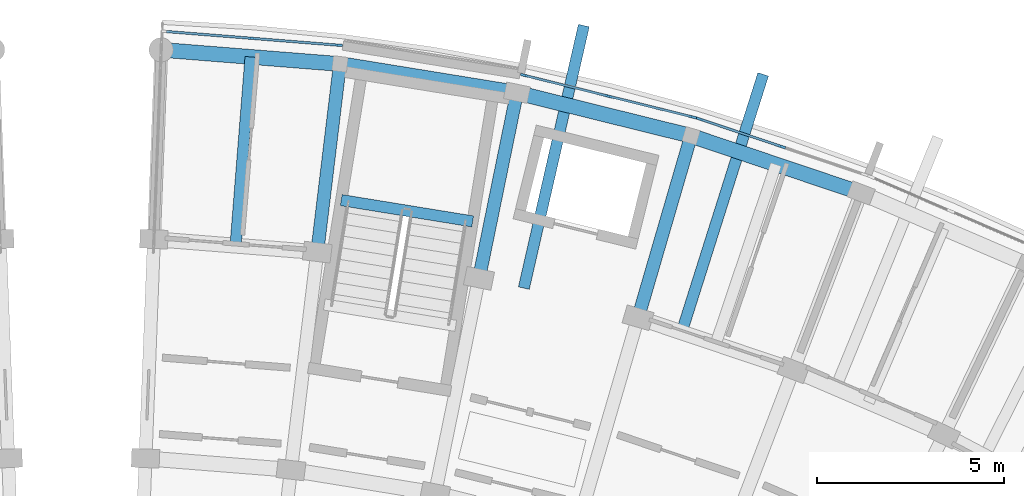
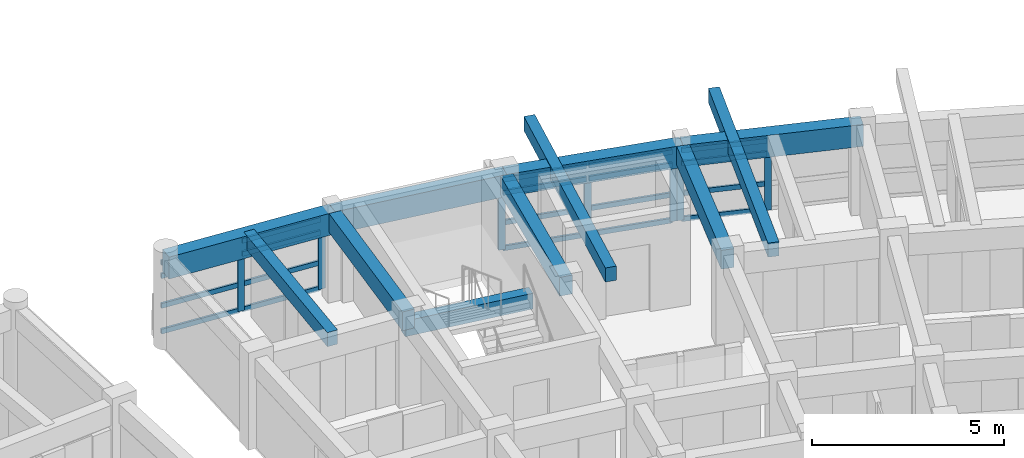
# One storey, part 8 of 54: 27 members, 11 beams, 3 elements without a shape of their own.
"""IFC4 building model written with IfcOpenShell, lengths in metres."""

from ifc_helpers import new_model, si_unit, direction, frame, origin, origin_2d, place, context, subcontext, project, spatial, rectangle, extrude, material, material_profile, profile_set, type_object, element, aggregate, save


model = new_model("IFC4")

# Units and contexts
model_context = context("Model", 3, precision=1e-05, world=origin(), true_north=direction((0.0, 1.0)))
body_context = subcontext(model_context, "Body", "Model", "MODEL_VIEW")
ifc_project = project(units=[si_unit("LENGTHUNIT", "METRE"), si_unit("AREAUNIT", "SQUARE_METRE"), si_unit("VOLUMEUNIT", "CUBIC_METRE"), si_unit("PLANEANGLEUNIT", "RADIAN"), si_unit("MASSUNIT", "GRAM", prefix="KILO")], contexts=[model_context])

# Site, building, storey
site_placement = place(None, origin())
site = spatial("IfcSite", under=ifc_project, at=site_placement, CompositionType="ELEMENT")
building_placement = place(site_placement, origin())
building = spatial("IfcBuilding", under=site, at=building_placement, Name="Zimvara Arc Housing Community", CompositionType="ELEMENT")
storey_placement = place(building_placement, frame((0.0, 0.0, 23.60009765625)))
storey = spatial("IfcBuildingStorey", under=building, at=storey_placement, Name="L07", CompositionType="ELEMENT", Elevation=23.60009765625)

# Beams
ifc_material_1 = material(Name="Concrete C40/50", Category="concrete")
ifc_material_profile_1 = material_profile(ifc_material_1, rectangle(XDim=0.300048828125, YDim=0.449951171875, at=origin_2d()), Name="RC 300x450")
ifc_profile_set_1 = profile_set([ifc_material_profile_1], Name="Concrete C40/50")
beam_type_1 = type_object("IfcBeamType", Name="BM-RC-300x450", PredefinedType="JOIST", material=ifc_profile_set_1)
beam_1_placement = place(storey_placement, frame((49.2548828125, 98.08642578125, 2.635009765625), z_axis=(0.079171686291, 0.99686099537, 0.0), x_axis=(-0.99686099537, 0.079171686291, 0.0)))
element("IfcBeam", 1, at=beam_1_placement, inside=storey, type_object=beam_type_1, Name="bm:blkB:L07:joist:b0", PredefinedType="JOIST", context=body_context, shape_type="SweptSolid", body=[
    extrude(rectangle(XDim=0.300048828125, YDim=0.449951171875, at=origin_2d()), origin(), (0.0, 0.0, 1.0), 5.07568359375),
])
beam_2_placement = place(storey_placement, frame((56.983642578125, 96.9482421875, 2.664794921875), z_axis=(0.222762368322, 0.974872774909, 0.0), x_axis=(-0.974872774909, 0.222762368322, 0.0)))
element("IfcBeam", 2, at=beam_2_placement, inside=storey, type_object=beam_type_1, Name="bm:blkB:L07:cant_out:b2", PredefinedType="JOIST", context=body_context, shape_type="SweptSolid", body=[
    extrude(rectangle(XDim=0.300048828125, YDim=0.449951171875, at=origin_2d()), origin(), (0.0, 0.0, 1.0), 7.22021484375),
])
beam_3_placement = place(storey_placement, frame((61.22314453125, 95.795654296875, 2.664794921875), z_axis=(0.301521356078, 0.953459423273, 0.0), x_axis=(-0.953459423273, 0.301521356078, 0.0)))
element("IfcBeam", 3, at=beam_3_placement, inside=storey, type_object=beam_type_1, Name="bm:blkB:L07:cant_out:b3", PredefinedType="JOIST", context=body_context, shape_type="SweptSolid", body=[
    extrude(rectangle(XDim=0.300048828125, YDim=0.449951171875, at=origin_2d()), origin(), (0.0, 0.0, 1.0), 7.219970703125),
])
ifc_material_2 = material(Name="Concrete C40/50", Category="concrete")
ifc_material_profile_2 = material_profile(ifc_material_2, rectangle(XDim=0.300048828125, YDim=0.5, at=origin_2d()), Name="RC 300x500")
ifc_profile_set_2 = profile_set([ifc_material_profile_2], Name="Concrete C40/50")
beam_type_2 = type_object("IfcBeamType", Name="BM-RC-300x500", PredefinedType="BEAM", material=ifc_profile_set_2)
beam_4_placement = place(storey_placement, frame((55.612060546875, 98.7353515625, 1.2998046875), z_axis=(-0.987080057935, 0.160227835371, 0.0), x_axis=(-0.160227835371, -0.987080057935, 0.0)))
element("IfcBeam", 4, at=beam_4_placement, inside=storey, type_object=beam_type_2, Name="bm:stair_trim:ST-B1:L07:mid", PredefinedType="BEAM", context=body_context, shape_type="SweptSolid", body=[
    extrude(rectangle(XDim=0.300048828125, YDim=0.5, at=origin_2d()), origin(), (0.0, 0.0, 1.0), 3.570068359375),
])
ifc_material_3 = material(Name="Concrete C40/50", Category="concrete")
ifc_material_profile_3 = material_profile(ifc_material_3, rectangle(XDim=0.35009765625, YDim=0.60009765625, at=origin_2d()), Name="RC 350x600")
ifc_profile_set_3 = profile_set([ifc_material_profile_3], Name="Concrete C40/50")
beam_type_3 = type_object("IfcBeamType", Name="BM-RC-350x600", PredefinedType="BEAM", material=ifc_profile_set_3)
beam_5_placement = place(storey_placement, frame((51.44482421875, 97.91259765625, 2.559814453125), z_axis=(0.119762990499, 0.99280251113, 0.0), x_axis=(-0.99280251113, 0.119762990499, 0.0)))
element("IfcBeam", 5, at=beam_5_placement, inside=storey, type_object=beam_type_3, Name="bm:blkB:L07:rad:b1:r23", PredefinedType="BEAM", context=body_context, shape_type="SweptSolid", body=[
    extrude(rectangle(XDim=0.35009765625, YDim=0.60009765625, at=origin_2d()), origin(), (0.0, 0.0, 1.0), 5.080078125),
])
for number, where, z_axis, x_axis, name in (
    (6, (55.78125, 97.208740234375, 2.559814453125), (0.200411962389, 0.97971171542, 0.0), (-0.97971171542, 0.200411962389, 0.0), "bm:blkB:L07:rad:b2:r23"),
    (7, (60.0458984375, 96.1533203125, 2.559814453125), (0.279662254096, 0.960098444762, 0.0), (-0.960098444762, 0.279662254096, 0.0), "bm:blkB:L07:rad:b3:r23"),
):
    element("IfcBeam", number, at=place(storey_placement, frame(where, z_axis=z_axis, x_axis=x_axis)), inside=storey, type_object=beam_type_3, Name=name, PredefinedType="BEAM", context=body_context, shape_type="SweptSolid", body=[
        extrude(rectangle(XDim=0.35009765625, YDim=0.60009765625, at=origin_2d()), origin(), (0.0, 0.0, 1.0), 5.079833984375),
    ])
ifc_material_4 = material(Name="Concrete C40/50", Category="concrete")
ifc_material_profile_4 = material_profile(ifc_material_4, rectangle(XDim=0.39990234375, YDim=0.699951171875, at=origin_2d()), Name="RC 400x700")
ifc_profile_set_4 = profile_set([ifc_material_profile_4], Name="Concrete C40/50")
beam_type_4 = type_object("IfcBeamType", Name="BM-RC-400x700", PredefinedType="BEAM", material=ifc_profile_set_4)
beam_6_placement = place(storey_placement, frame((47.26025390625, 103.336669921875, 2.510009765625), z_axis=(0.996861768207, -0.0791619548, 0.0), x_axis=(0.0791619548, 0.996861768207, 0.0)))
element("IfcBeam", 8, at=beam_6_placement, inside=storey, type_object=beam_type_4, Name="bm:blkB:L07:chord:r3:b0", PredefinedType="BEAM", context=body_context, shape_type="SweptSolid", body=[
    extrude(rectangle(XDim=0.39990234375, YDim=0.699951171875, at=origin_2d()), origin(), (0.0, 0.0, 1.0), 4.80810546875),
])
beam_7_placement = place(storey_placement, frame((52.05322265625, 102.9560546875, 2.510009765625), z_axis=(0.987076839731, -0.160247659784, 0.0), x_axis=(0.160247659784, 0.987076839731, 0.0)))
element("IfcBeam", 9, at=beam_7_placement, inside=storey, type_object=beam_type_4, Name="bm:blkB:L07:chord:r3:b1", PredefinedType="BEAM", context=body_context, shape_type="SweptSolid", body=[
    extrude(rectangle(XDim=0.39990234375, YDim=0.699951171875, at=origin_2d()), origin(), (0.0, 0.0, 1.0), 4.808349609375),
])
beam_8_placement = place(storey_placement, frame((56.79931640625, 102.185546875, 2.510009765625), z_axis=(0.970716235341, -0.240229037474, 0.0), x_axis=(0.240229037474, 0.970716235341, 0.0)))
element("IfcBeam", 10, at=beam_8_placement, inside=storey, type_object=beam_type_4, Name="bm:blkB:L07:chord:r3:b2", PredefinedType="BEAM", context=body_context, shape_type="SweptSolid", body=[
    extrude(rectangle(XDim=0.39990234375, YDim=0.699951171875, at=origin_2d()), origin(), (0.0, 0.0, 1.0), 4.80810546875),
])
beam_9_placement = place(storey_placement, frame((61.466552734375, 101.030517578125, 2.510009765625), z_axis=(0.947877948153, -0.31863363822, 0.0), x_axis=(0.31863363822, 0.947877948153, 0.0)))
element("IfcBeam", 11, at=beam_9_placement, inside=storey, type_object=beam_type_4, Name="bm:blkB:L07:chord:r3:b3", PredefinedType="BEAM", context=body_context, shape_type="SweptSolid", body=[
    extrude(rectangle(XDim=0.39990234375, YDim=0.699951171875, at=origin_2d()), origin(), (0.0, 0.0, 1.0), 4.807861328125),
])

# Curtain wall, members
ifc_material_5 = material(Name="Anodised Aluminium AW-6063", Category="aluminium")
curtain_wall_type_1 = type_object("IfcCurtainWallType", Name="CW-SYS-07", PredefinedType="USERDEFINED", material=ifc_material_5)
curtain_wall_1_placement = place(storey_placement, origin())
curtain_wall_1 = element("IfcCurtainWall", 12, at=curtain_wall_1_placement, inside=storey, type_object=curtain_wall_type_1, Name="cw:blkB:L07:out:b0", ObjectType="CURTAIN WALL", PredefinedType="USERDEFINED")
ifc_material_6 = material(Name="Anodised Aluminium AW-6063", Category="aluminium")
ifc_material_profile_5 = material_profile(ifc_material_6, rectangle(XDim=0.06494140625, YDim=0.195068359375, at=origin_2d()), Name="ALU 65x195")
ifc_profile_set_5 = profile_set([ifc_material_profile_5], Name="Anodised Aluminium AW-6063")
member_type_1 = type_object("IfcMemberType", Name="CWM-65x180", PredefinedType="MULLION", material=ifc_profile_set_5)
member_1_placement = place(storey_placement, frame((49.6962890625, 103.644287109375, 0.0), z_axis=(0.0, 0.0, 1.0), x_axis=(0.079153759607, 0.996862418963, 0.0)))
member_1 = element("IfcMember", 13, at=member_1_placement, type_object=member_type_1, Name="CW07 mullion 2", PredefinedType="MULLION", context=body_context, shape_type="SweptSolid", body=[
    extrude(rectangle(XDim=0.06494140625, YDim=0.195068359375, at=origin_2d()), origin(), (0.0, 0.0, 1.0), 2.25),
])
member_2_placement = place(storey_placement, frame((52.02099609375, 103.459716796875, 0.0), z_axis=(0.0, 0.0, 1.0), x_axis=(0.079153759607, 0.996862418963, 0.0)))
member_2 = element("IfcMember", 14, at=member_2_placement, type_object=member_type_1, Name="CW07 mullion 3", PredefinedType="MULLION", context=body_context, shape_type="SweptSolid", body=[
    extrude(rectangle(XDim=0.06494140625, YDim=0.195068359375, at=origin_2d()), origin(), (0.0, 0.0, 1.0), 2.25),
])

ifc_material_7 = material(Name="Anodised Aluminium AW-6063", Category="aluminium")
curtain_wall_type_2 = type_object("IfcCurtainWallType", Name="CW-SYS-01", PredefinedType="USERDEFINED", material=ifc_material_7)
curtain_wall_2_placement = place(storey_placement, origin())
curtain_wall_2 = element("IfcCurtainWall", 15, at=curtain_wall_2_placement, inside=storey, type_object=curtain_wall_type_2, Name="cw:blkB:L07:out:b2", ObjectType="CURTAIN WALL", PredefinedType="USERDEFINED")
member_3_placement = place(storey_placement, frame((56.9892578125, 102.6533203125, 0.0), z_axis=(0.0, 0.0, 1.0), x_axis=(0.240229711131, 0.970716068627, 0.0)))
member_3 = element("IfcMember", 16, at=member_3_placement, type_object=member_type_1, Name="CW01 mullion 1", PredefinedType="MULLION", context=body_context, shape_type="SweptSolid", body=[
    extrude(rectangle(XDim=0.06494140625, YDim=0.195068359375, at=origin_2d()), origin(), (0.0, 0.0, 1.0), 2.25),
])
member_4_placement = place(storey_placement, frame((59.2529296875, 102.093017578125, 0.0), z_axis=(0.0, 0.0, 1.0), x_axis=(0.240229711131, 0.970716068627, 0.0)))
member_4 = element("IfcMember", 17, at=member_4_placement, type_object=member_type_1, Name="CW01 mullion 2", PredefinedType="MULLION", context=body_context, shape_type="SweptSolid", body=[
    extrude(rectangle(XDim=0.06494140625, YDim=0.195068359375, at=origin_2d()), origin(), (0.0, 0.0, 1.0), 2.25),
])
member_5_placement = place(storey_placement, frame((61.5166015625, 101.532958984375, 0.0), z_axis=(0.0, 0.0, 1.0), x_axis=(0.240229711131, 0.970716068627, 0.0)))
member_5 = element("IfcMember", 18, at=member_5_placement, type_object=member_type_1, Name="CW01 mullion 3", PredefinedType="MULLION", context=body_context, shape_type="SweptSolid", body=[
    extrude(rectangle(XDim=0.06494140625, YDim=0.195068359375, at=origin_2d()), origin(), (0.0, 0.0, 1.0), 2.25),
])

ifc_material_8 = material(Name="Anodised Aluminium AW-6063", Category="aluminium")
curtain_wall_type_3 = type_object("IfcCurtainWallType", Name="CW-SYS-03", PredefinedType="USERDEFINED", material=ifc_material_8)
curtain_wall_3_placement = place(storey_placement, origin())
curtain_wall_3 = element("IfcCurtainWall", 19, at=curtain_wall_3_placement, inside=storey, type_object=curtain_wall_type_3, Name="cw:blkB:L07:out:b3", ObjectType="CURTAIN WALL", PredefinedType="USERDEFINED")
member_6_placement = place(storey_placement, frame((61.694091796875, 101.481201171875, 0.0), z_axis=(0.0, 0.0, 1.0), x_axis=(0.318628583921, 0.947879647164, 0.0)))
member_6 = element("IfcMember", 20, at=member_6_placement, type_object=member_type_1, Name="CW03 mullion 1", PredefinedType="MULLION", context=body_context, shape_type="SweptSolid", body=[
    extrude(rectangle(XDim=0.06494140625, YDim=0.195068359375, at=origin_2d()), origin(), (0.0, 0.0, 1.0), 2.25),
])
member_7_placement = place(storey_placement, frame((63.904296875, 100.73828125, 0.0), z_axis=(0.0, 0.0, 1.0), x_axis=(0.318628583921, 0.947879647164, 0.0)))
member_7 = element("IfcMember", 21, at=member_7_placement, type_object=member_type_1, Name="CW03 mullion 2", PredefinedType="MULLION", context=body_context, shape_type="SweptSolid", body=[
    extrude(rectangle(XDim=0.06494140625, YDim=0.195068359375, at=origin_2d()), origin(), (0.0, 0.0, 1.0), 2.25),
])

# Member
ifc_material_9 = material(Name="Anodised Aluminium AW-6063", Category="aluminium")
ifc_material_profile_6 = material_profile(ifc_material_9, rectangle(XDim=0.06494140625, YDim=0.155029296875, at=origin_2d()), Name="ALU 65x155")
ifc_profile_set_6 = profile_set([ifc_material_profile_6], Name="Anodised Aluminium AW-6063")
member_type_2 = type_object("IfcMemberType", Name="CWT-65x140", PredefinedType="USERDEFINED", material=ifc_profile_set_6)
member_8_placement = place(storey_placement, frame((47.404052734375, 103.826416015625, 0.032470703125), z_axis=(0.996862021022, -0.079158771116, 0.0), x_axis=(0.079158771116, 0.996862021022, 0.0)))
member_8 = element("IfcMember", 22, at=member_8_placement, type_object=member_type_2, Name="CW07 transom 1.1", ObjectType="TRANSOM", PredefinedType="USERDEFINED", context=body_context, shape_type="SweptSolid", body=[
    extrude(rectangle(XDim=0.06494140625, YDim=0.155029296875, at=origin_2d()), origin(), (0.0, 0.0, 1.0), 2.266845703125),
])

member_9_placement = place(storey_placement, frame((47.404052734375, 103.826416015625, 0.849853515625), z_axis=(0.996862021022, -0.079158771116, 0.0), x_axis=(0.079158771116, 0.996862021022, 0.0)))
member_9 = element("IfcMember", 23, at=member_9_placement, type_object=member_type_2, Name="CW07 transom 1.2", ObjectType="TRANSOM", PredefinedType="USERDEFINED", context=body_context, shape_type="SweptSolid", body=[
    extrude(rectangle(XDim=0.06494140625, YDim=0.155029296875, at=origin_2d()), origin(), (0.0, 0.0, 1.0), 2.266845703125),
])

member_10_placement = place(storey_placement, frame((47.404052734375, 103.826416015625, 1.7998046875), z_axis=(0.996862021022, -0.079158771116, 0.0), x_axis=(0.079158771116, 0.996862021022, 0.0)))
member_10 = element("IfcMember", 24, at=member_10_placement, type_object=member_type_2, Name="CW07 transom 1.3", ObjectType="TRANSOM", PredefinedType="USERDEFINED", context=body_context, shape_type="SweptSolid", body=[
    extrude(rectangle(XDim=0.06494140625, YDim=0.155029296875, at=origin_2d()), origin(), (0.0, 0.0, 1.0), 2.266845703125),
])

member_11_placement = place(storey_placement, frame((47.404052734375, 103.826416015625, 2.21728515625), z_axis=(0.996862021022, -0.079158771116, 0.0), x_axis=(0.079158771116, 0.996862021022, 0.0)))
member_11 = element("IfcMember", 25, at=member_11_placement, type_object=member_type_2, Name="CW07 transom 1.4", ObjectType="TRANSOM", PredefinedType="USERDEFINED", context=body_context, shape_type="SweptSolid", body=[
    extrude(rectangle(XDim=0.06494140625, YDim=0.155029296875, at=origin_2d()), origin(), (0.0, 0.0, 1.0), 2.266845703125),
])

member_12_placement = place(storey_placement, frame((49.728759765625, 103.641845703125, 0.032470703125), z_axis=(0.996862021022, -0.079158771116, 0.0), x_axis=(0.079158771116, 0.996862021022, 0.0)))
member_12 = element("IfcMember", 26, at=member_12_placement, type_object=member_type_2, Name="CW07 transom 2.1", ObjectType="TRANSOM", PredefinedType="USERDEFINED", context=body_context, shape_type="SweptSolid", body=[
    extrude(rectangle(XDim=0.06494140625, YDim=0.155029296875, at=origin_2d()), origin(), (0.0, 0.0, 1.0), 2.266845703125),
])

member_13_placement = place(storey_placement, frame((49.728759765625, 103.641845703125, 0.849853515625), z_axis=(0.996862021022, -0.079158771116, 0.0), x_axis=(0.079158771116, 0.996862021022, 0.0)))
member_13 = element("IfcMember", 27, at=member_13_placement, type_object=member_type_2, Name="CW07 transom 2.2", ObjectType="TRANSOM", PredefinedType="USERDEFINED", context=body_context, shape_type="SweptSolid", body=[
    extrude(rectangle(XDim=0.06494140625, YDim=0.155029296875, at=origin_2d()), origin(), (0.0, 0.0, 1.0), 2.266845703125),
])

member_14_placement = place(storey_placement, frame((49.728759765625, 103.641845703125, 1.7998046875), z_axis=(0.996862021022, -0.079158771116, 0.0), x_axis=(0.079158771116, 0.996862021022, 0.0)))
member_14 = element("IfcMember", 28, at=member_14_placement, type_object=member_type_2, Name="CW07 transom 2.3", ObjectType="TRANSOM", PredefinedType="USERDEFINED", context=body_context, shape_type="SweptSolid", body=[
    extrude(rectangle(XDim=0.06494140625, YDim=0.155029296875, at=origin_2d()), origin(), (0.0, 0.0, 1.0), 2.266845703125),
])

member_15_placement = place(storey_placement, frame((49.728759765625, 103.641845703125, 2.21728515625), z_axis=(0.996862021022, -0.079158771116, 0.0), x_axis=(0.079158771116, 0.996862021022, 0.0)))
member_15 = element("IfcMember", 29, at=member_15_placement, type_object=member_type_2, Name="CW07 transom 2.4", ObjectType="TRANSOM", PredefinedType="USERDEFINED", context=body_context, shape_type="SweptSolid", body=[
    extrude(rectangle(XDim=0.06494140625, YDim=0.155029296875, at=origin_2d()), origin(), (0.0, 0.0, 1.0), 2.266845703125),
])

aggregate(curtain_wall_1, [member_1, member_2, member_8, member_9, member_10, member_11, member_12, member_13, member_14, member_15])

member_16_placement = place(storey_placement, frame((57.020751953125, 102.6455078125, 0.032470703125), z_axis=(0.970703721793, -0.240279596507, 0.0), x_axis=(0.240279596507, 0.970703721793, 0.0)))
member_16 = element("IfcMember", 30, at=member_16_placement, type_object=member_type_2, Name="CW01 transom 1.1", ObjectType="TRANSOM", PredefinedType="USERDEFINED", context=body_context, shape_type="SweptSolid", body=[
    extrude(rectangle(XDim=0.06494140625, YDim=0.155029296875, at=origin_2d()), origin(), (0.0, 0.0, 1.0), 2.266845703125),
])

member_17_placement = place(storey_placement, frame((57.020751953125, 102.6455078125, 0.849853515625), z_axis=(0.970703721793, -0.240279596507, 0.0), x_axis=(0.240279596507, 0.970703721793, 0.0)))
member_17 = element("IfcMember", 31, at=member_17_placement, type_object=member_type_2, Name="CW01 transom 1.2", ObjectType="TRANSOM", PredefinedType="USERDEFINED", context=body_context, shape_type="SweptSolid", body=[
    extrude(rectangle(XDim=0.06494140625, YDim=0.155029296875, at=origin_2d()), origin(), (0.0, 0.0, 1.0), 2.266845703125),
])

member_18_placement = place(storey_placement, frame((57.020751953125, 102.6455078125, 1.7998046875), z_axis=(0.970703721793, -0.240279596507, 0.0), x_axis=(0.240279596507, 0.970703721793, 0.0)))
member_18 = element("IfcMember", 32, at=member_18_placement, type_object=member_type_2, Name="CW01 transom 1.3", ObjectType="TRANSOM", PredefinedType="USERDEFINED", context=body_context, shape_type="SweptSolid", body=[
    extrude(rectangle(XDim=0.06494140625, YDim=0.155029296875, at=origin_2d()), origin(), (0.0, 0.0, 1.0), 2.266845703125),
])

member_19_placement = place(storey_placement, frame((57.020751953125, 102.6455078125, 2.21728515625), z_axis=(0.970703721793, -0.240279596507, 0.0), x_axis=(0.240279596507, 0.970703721793, 0.0)))
member_19 = element("IfcMember", 33, at=member_19_placement, type_object=member_type_2, Name="CW01 transom 1.4", ObjectType="TRANSOM", PredefinedType="USERDEFINED", context=body_context, shape_type="SweptSolid", body=[
    extrude(rectangle(XDim=0.06494140625, YDim=0.155029296875, at=origin_2d()), origin(), (0.0, 0.0, 1.0), 2.266845703125),
])

member_20_placement = place(storey_placement, frame((59.284423828125, 102.085205078125, 0.032470703125), z_axis=(0.970728837212, -0.240178110172, 0.0), x_axis=(0.240178110172, 0.970728837212, 0.0)))
member_20 = element("IfcMember", 34, at=member_20_placement, type_object=member_type_2, Name="CW01 transom 2.1", ObjectType="TRANSOM", PredefinedType="USERDEFINED", context=body_context, shape_type="SweptSolid", body=[
    extrude(rectangle(XDim=0.06494140625, YDim=0.155029296875, at=origin_2d()), origin(), (0.0, 0.0, 1.0), 2.266845703125),
])

member_21_placement = place(storey_placement, frame((59.284423828125, 102.085205078125, 0.849853515625), z_axis=(0.970728837212, -0.240178110172, 0.0), x_axis=(0.240178110172, 0.970728837212, 0.0)))
member_21 = element("IfcMember", 35, at=member_21_placement, type_object=member_type_2, Name="CW01 transom 2.2", ObjectType="TRANSOM", PredefinedType="USERDEFINED", context=body_context, shape_type="SweptSolid", body=[
    extrude(rectangle(XDim=0.06494140625, YDim=0.155029296875, at=origin_2d()), origin(), (0.0, 0.0, 1.0), 2.266845703125),
])

member_22_placement = place(storey_placement, frame((59.284423828125, 102.085205078125, 1.7998046875), z_axis=(0.970728837212, -0.240178110172, 0.0), x_axis=(0.240178110172, 0.970728837212, 0.0)))
member_22 = element("IfcMember", 36, at=member_22_placement, type_object=member_type_2, Name="CW01 transom 2.3", ObjectType="TRANSOM", PredefinedType="USERDEFINED", context=body_context, shape_type="SweptSolid", body=[
    extrude(rectangle(XDim=0.06494140625, YDim=0.155029296875, at=origin_2d()), origin(), (0.0, 0.0, 1.0), 2.266845703125),
])

member_23_placement = place(storey_placement, frame((59.284423828125, 102.085205078125, 2.21728515625), z_axis=(0.970728837212, -0.240178110172, 0.0), x_axis=(0.240178110172, 0.970728837212, 0.0)))
member_23 = element("IfcMember", 37, at=member_23_placement, type_object=member_type_2, Name="CW01 transom 2.4", ObjectType="TRANSOM", PredefinedType="USERDEFINED", context=body_context, shape_type="SweptSolid", body=[
    extrude(rectangle(XDim=0.06494140625, YDim=0.155029296875, at=origin_2d()), origin(), (0.0, 0.0, 1.0), 2.266845703125),
])

aggregate(curtain_wall_2, [member_3, member_4, member_5, member_16, member_17, member_18, member_19, member_20, member_21, member_22, member_23])

member_24_placement = place(storey_placement, frame((61.724853515625, 101.470947265625, 0.032470703125), z_axis=(0.947861605379, -0.318682250916, 0.0), x_axis=(0.318682250916, 0.947861605379, 0.0)))
member_24 = element("IfcMember", 38, at=member_24_placement, type_object=member_type_2, Name="CW03 transom 1.1", ObjectType="TRANSOM", PredefinedType="USERDEFINED", context=body_context, shape_type="SweptSolid", body=[
    extrude(rectangle(XDim=0.06494140625, YDim=0.155029296875, at=origin_2d()), origin(), (0.0, 0.0, 1.0), 2.266845703125),
])

member_25_placement = place(storey_placement, frame((61.724853515625, 101.470947265625, 0.849853515625), z_axis=(0.947861605379, -0.318682250916, 0.0), x_axis=(0.318682250916, 0.947861605379, 0.0)))
member_25 = element("IfcMember", 39, at=member_25_placement, type_object=member_type_2, Name="CW03 transom 1.2", ObjectType="TRANSOM", PredefinedType="USERDEFINED", context=body_context, shape_type="SweptSolid", body=[
    extrude(rectangle(XDim=0.06494140625, YDim=0.155029296875, at=origin_2d()), origin(), (0.0, 0.0, 1.0), 2.266845703125),
])

member_26_placement = place(storey_placement, frame((61.724853515625, 101.470947265625, 1.7998046875), z_axis=(0.947861605379, -0.318682250916, 0.0), x_axis=(0.318682250916, 0.947861605379, 0.0)))
member_26 = element("IfcMember", 40, at=member_26_placement, type_object=member_type_2, Name="CW03 transom 1.3", ObjectType="TRANSOM", PredefinedType="USERDEFINED", context=body_context, shape_type="SweptSolid", body=[
    extrude(rectangle(XDim=0.06494140625, YDim=0.155029296875, at=origin_2d()), origin(), (0.0, 0.0, 1.0), 2.266845703125),
])

member_27_placement = place(storey_placement, frame((61.724853515625, 101.470947265625, 2.21728515625), z_axis=(0.947861605379, -0.318682250916, 0.0), x_axis=(0.318682250916, 0.947861605379, 0.0)))
member_27 = element("IfcMember", 41, at=member_27_placement, type_object=member_type_2, Name="CW03 transom 1.4", ObjectType="TRANSOM", PredefinedType="USERDEFINED", context=body_context, shape_type="SweptSolid", body=[
    extrude(rectangle(XDim=0.06494140625, YDim=0.155029296875, at=origin_2d()), origin(), (0.0, 0.0, 1.0), 2.266845703125),
])

aggregate(curtain_wall_3, [member_6, member_7, member_24, member_25, member_26, member_27])

save(model, "model.ifc")
